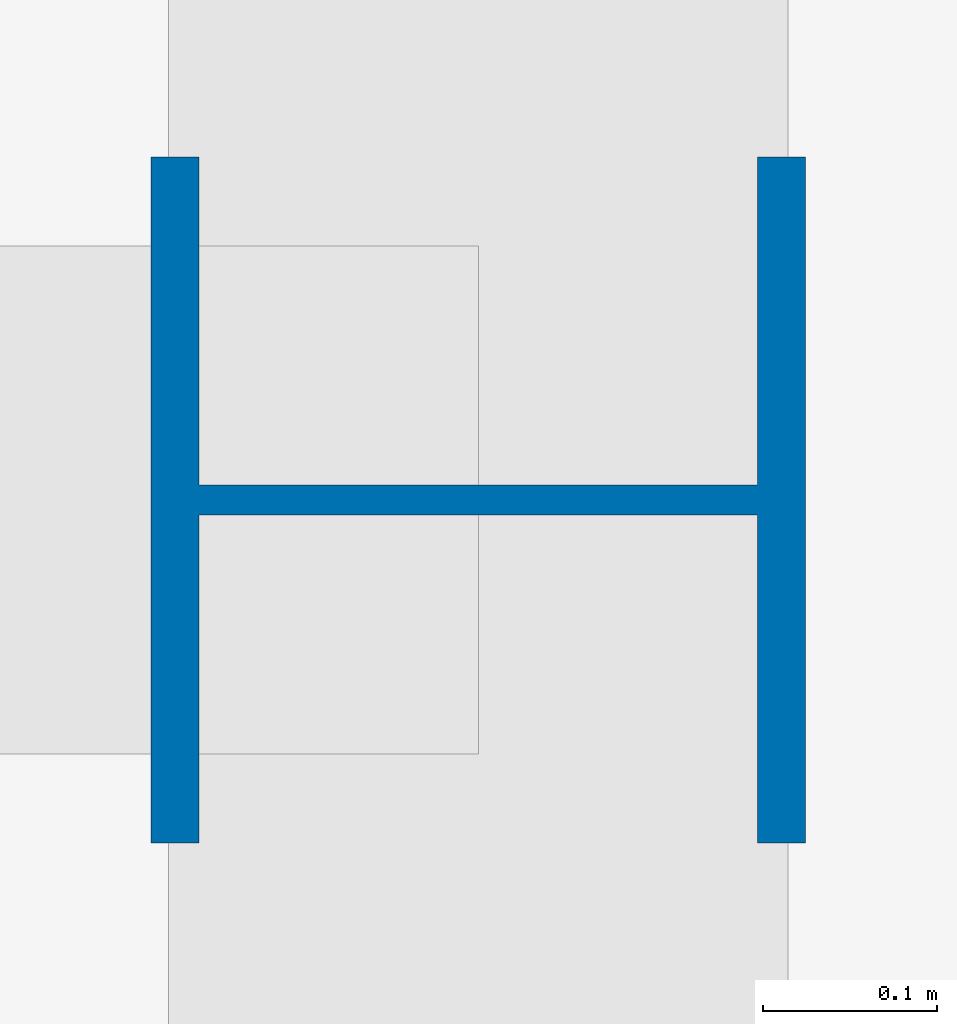
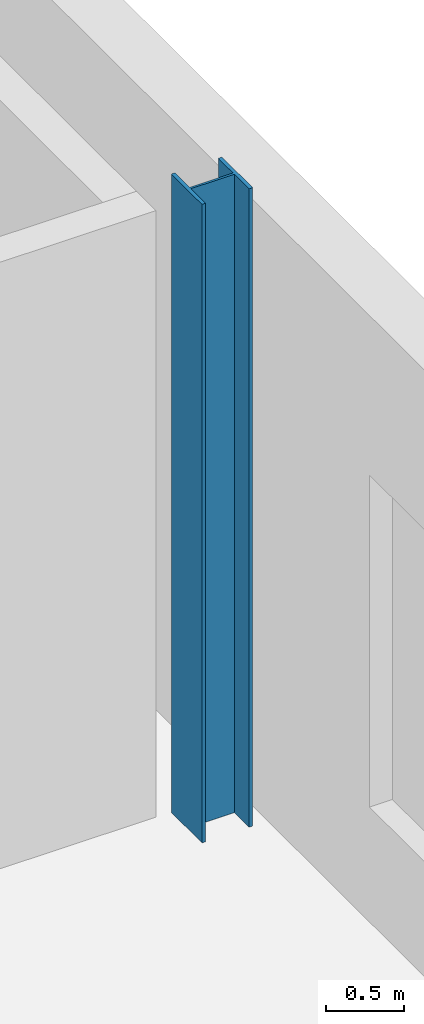
# One storey, part 6 of 31: 1 column.
"""IFC4 building model written with IfcOpenShell, lengths in metres."""

from ifc_helpers import new_model, si_unit, direction, frame, origin, origin_2d, place, context, subcontext, project, spatial, i_section, extrude, material, material_profile, profile_set, type_object, element, save


model = new_model("IFC4")

# Units and contexts
model_context = context("Model", 3, precision=1e-05, world=origin(), true_north=direction((0.0, 1.0)))
body_context = subcontext(model_context, "Body", "Model", "MODEL_VIEW")
ifc_project = project(units=[si_unit("LENGTHUNIT", "METRE"), si_unit("AREAUNIT", "SQUARE_METRE"), si_unit("VOLUMEUNIT", "CUBIC_METRE"), si_unit("PLANEANGLEUNIT", "RADIAN"), si_unit("MASSUNIT", "GRAM", prefix="KILO")], contexts=[model_context])

# Site, building, storey
site_placement = place(None, origin())
site = spatial("IfcSite", under=ifc_project, at=site_placement, CompositionType="ELEMENT")
building_placement = place(site_placement, origin())
building = spatial("IfcBuilding", under=site, at=building_placement, Name="Loomwork Tower", CompositionType="ELEMENT")
storey_placement = place(building_placement, frame((0.0, 0.0, 11.0)))
storey = spatial("IfcBuildingStorey", under=building, at=storey_placement, Name="L02", CompositionType="ELEMENT", Elevation=11.0)

# Column
ifc_material = material(Name="Steel ASTM A992", Category="steel")
ifc_material_profile = material_profile(ifc_material, i_section(OverallWidth=0.393798828125, OverallDepth=0.3759765625, WebThickness=0.017333984375, FlangeThickness=0.027587890625, at=origin_2d()), Name="W14x145")
ifc_profile_set = profile_set([ifc_material_profile], Name="Steel ASTM A992")
column_type = type_object("IfcColumnType", Name="PODIUM COLUMN W14x145", PredefinedType="COLUMN", material=ifc_profile_set)
column_placement = place(storey_placement, frame((63.0, 36.0, 0.0), z_axis=(0.0, 0.0, 1.0), x_axis=(0.0, 1.0, 0.0)))
element("IfcColumn", 1, at=column_placement, inside=storey, type_object=column_type, Name="Podium Column H/9 L02", PredefinedType="COLUMN", context=body_context, shape_type="SweptSolid", body=[
    extrude(i_section(OverallWidth=0.393798828125, OverallDepth=0.3759765625, WebThickness=0.017333984375, FlangeThickness=0.027587890625, at=origin_2d()), origin(), (0.0, 0.0, 1.0), 5.0),
])

save(model, "model.ifc")
